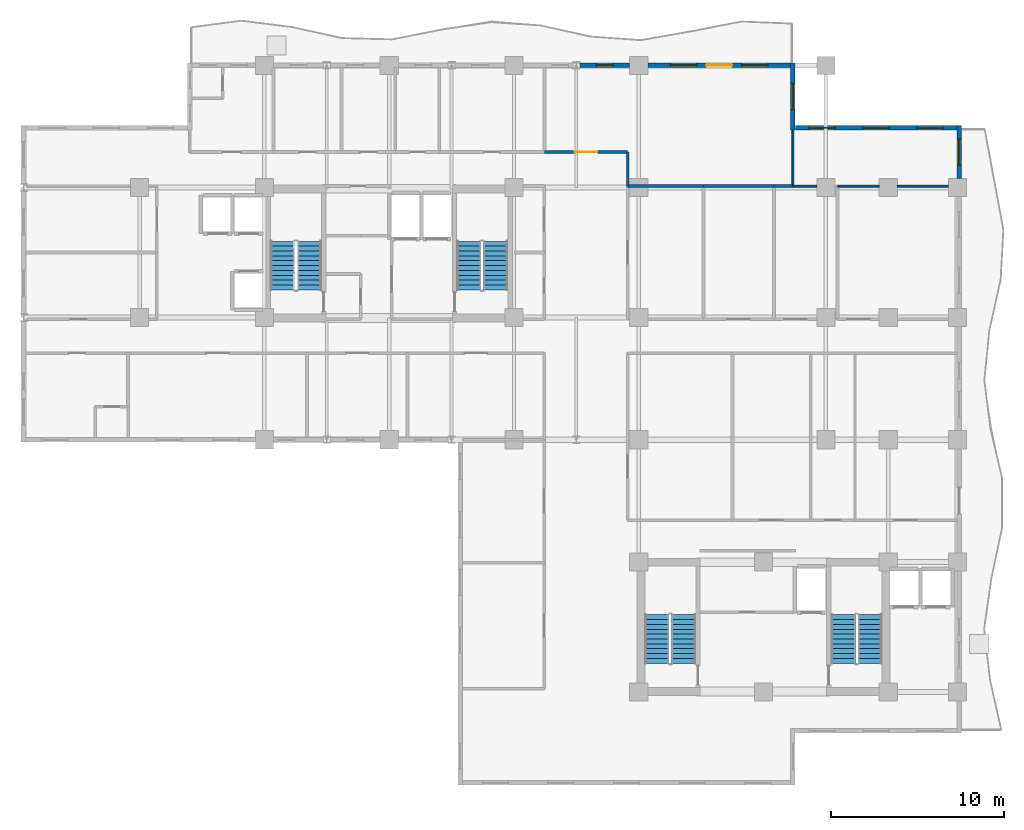
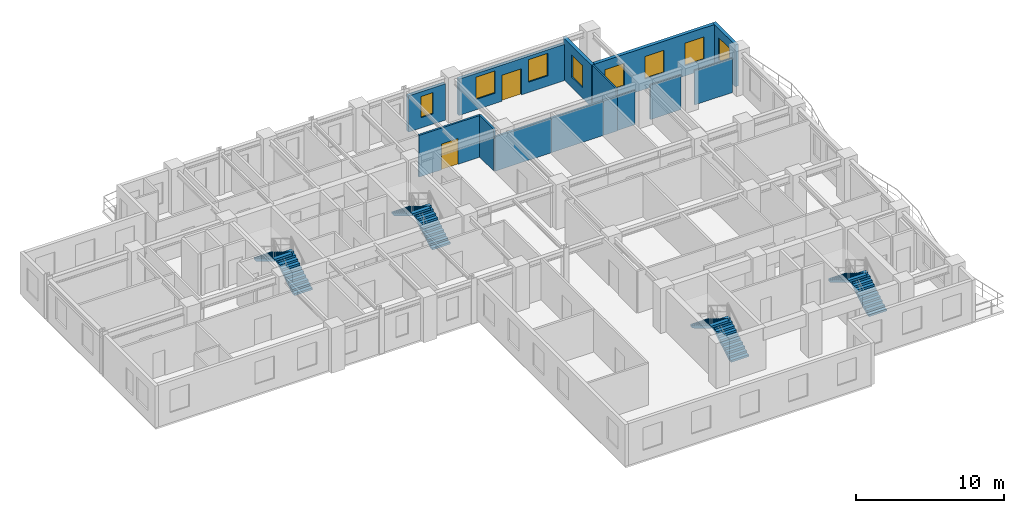
# One storey, part 9 of 13: 14 walls, 8 stair flights, 8 windows, 2 doors, 10 openings, 4 elements without a shape of their own.
"""IFC4 building model written with IfcOpenShell, lengths in metres."""

from ifc_helpers import new_model, si_unit, direction, frame, frame_2d, origin, place, context, subcontext, project, spatial, polyline, rectangle, outline, extrude, material, layer, layer_set, type_object, element, fill, aggregate, save


model = new_model("IFC4")

# Units and contexts
model_context = context("Model", 3, precision=1e-05, world=origin(), true_north=direction((0.0, 1.0)))
body_context = subcontext(model_context, "Body", "Model", "MODEL_VIEW")
ifc_project = project(units=[si_unit("LENGTHUNIT", "METRE"), si_unit("AREAUNIT", "SQUARE_METRE"), si_unit("VOLUMEUNIT", "CUBIC_METRE"), si_unit("PLANEANGLEUNIT", "RADIAN"), si_unit("MASSUNIT", "GRAM", prefix="KILO")], contexts=[model_context])

# Site, building, storey
site_placement = place(None, origin())
site = spatial("IfcSite", under=ifc_project, at=site_placement, CompositionType="ELEMENT")
building_placement = place(site_placement, origin())
building = spatial("IfcBuilding", under=site, at=building_placement, Name="Kaliganga Portal Commons", CompositionType="ELEMENT")
storey_placement = place(building_placement, frame((0.0, 0.0, 177.199951171875)))
storey = spatial("IfcBuildingStorey", under=building, at=storey_placement, Name="L45", CompositionType="ELEMENT", Elevation=177.199951171875)

# Wall, opening, window
ifc_material_1 = material(Name="Insulated Aluminium-Clad Spandrel Assembly", Category="aluminium")
ifc_layer_1 = layer(ifc_material_1, 0.260009765625)
ifc_layer_set_1 = layer_set([ifc_layer_1], Name="Insulated Aluminium-Clad Spandrel Assembly")
wall_type_1 = type_object("IfcWallType", Name="WL-EXT-SPAND-260", PredefinedType="STANDARD", material=ifc_layer_set_1)
wall_1_placement = place(storey_placement, frame((54.5, 39.72998046875, 0.0), z_axis=(0.0, 0.0, 1.0), x_axis=(0.0, -1.0, 0.0)))
wall_1 = element("IfcWall", 1, at=wall_1_placement, inside=storey, type_object=wall_type_1, Name="Exterior Envelope Wall L45 P1-E03-S6", PredefinedType="STANDARD", context=body_context, shape_type="SweptSolid", body=[
    extrude(rectangle(XDim=3.053955078125, YDim=0.260009765625, at=frame_2d((1.52685546875, 0.0))), origin(), (0.0, 0.0, 1.0), 3.43994140625),
])
opening_1_placement = place(wall_1_placement, frame((0.777099609375, 0.0, 0.85009765625)))
opening_1 = element("IfcOpeningElement", 2, at=opening_1_placement, cuts=wall_1, Name="Opening W-02", PredefinedType="OPENING", context=body_context, shape_type="SweptSolid", body=[
    extrude(rectangle(XDim=1.5, YDim=1.85009765625, at=frame_2d((0.75, 0.925048828125))), frame((0.0, 0.14013671875, 0.0), z_axis=(0.0, -1.0, 0.0), x_axis=(1.0, 0.0, 0.0)), (0.0, 0.0, 1.0), 0.280029296875),
])
ifc_material_2 = material(Name="Thermally Broken Aluminium and Low-E Double Glazing", Category="aluminium")
window_type_1 = type_object("IfcWindowType", Name="WIN-STD-1500", PartitioningType="DOUBLE_PANEL_VERTICAL", PredefinedType="WINDOW", material=ifc_material_2)
window_1_placement = place(opening_1_placement, origin())
window_1 = element("IfcWindow", 3, at=window_1_placement, inside=storey, type_object=window_type_1, Name="Facade Window L45-P1E03S6-00", OverallHeight=1.85009765625, OverallWidth=1.5, PartitioningType="SINGLE_PANEL", PredefinedType="WINDOW", context=body_context, shape_type="SweptSolid", body=[
    extrude(rectangle(XDim=1.5, YDim=1.85009765625, at=frame_2d((0.75, 0.925048828125))), frame((0.0, 0.030029296875, 0.0), z_axis=(0.0, -1.0, 0.0), x_axis=(1.0, 0.0, 0.0)), (0.0, 0.0, 1.0), 0.06005859375),
])
fill(opening_1, window_1)

# Wall, openings, windows
wall_2_placement = place(storey_placement, frame((45.034912109375, 39.60009765625, 0.0), z_axis=(0.0, 0.0, 1.0), x_axis=(1.0, 0.0, 0.0)))
wall_2 = element("IfcWall", 4, at=wall_2_placement, inside=storey, type_object=wall_type_1, Name="Exterior Envelope Wall L45 P1-E04-S1", PredefinedType="STANDARD", context=body_context, shape_type="SweptSolid", body=[
    extrude(rectangle(XDim=9.330078125, YDim=0.260009765625, at=frame_2d((4.6650390625, 0.0))), origin(), (0.0, 0.0, 1.0), 3.43994140625),
])
opening_2_placement = place(wall_2_placement, frame((0.804931640625, 0.0, 0.85009765625)))
opening_2 = element("IfcOpeningElement", 5, at=opening_2_placement, cuts=wall_2, Name="Opening W-02", PredefinedType="OPENING", context=body_context, shape_type="SweptSolid", body=[
    extrude(rectangle(XDim=1.5, YDim=1.85009765625, at=frame_2d((0.75, 0.925048828125))), frame((0.0, 0.14013671875, 0.0), z_axis=(0.0, -1.0, 0.0), x_axis=(1.0, 0.0, 0.0)), (0.0, 0.0, 1.0), 0.280029296875),
])
opening_3_placement = place(wall_2_placement, frame((3.9150390625, 0.0, 0.85009765625)))
opening_3 = element("IfcOpeningElement", 6, at=opening_3_placement, cuts=wall_2, Name="Opening W-02", PredefinedType="OPENING", context=body_context, shape_type="SweptSolid", body=[
    extrude(rectangle(XDim=1.5, YDim=1.85009765625, at=frame_2d((0.75, 0.925048828125))), frame((0.0, 0.14013671875, 0.0), z_axis=(0.0, -1.0, 0.0), x_axis=(1.0, 0.0, 0.0)), (0.0, 0.0, 1.0), 0.280029296875),
])
opening_4_placement = place(wall_2_placement, frame((7.02490234375, 0.0, 0.85009765625)))
opening_4 = element("IfcOpeningElement", 7, at=opening_4_placement, cuts=wall_2, Name="Opening W-02", PredefinedType="OPENING", context=body_context, shape_type="SweptSolid", body=[
    extrude(rectangle(XDim=1.5, YDim=1.85009765625, at=frame_2d((0.75, 0.925048828125))), frame((0.0, 0.14013671875, 0.0), z_axis=(0.0, -1.0, 0.0), x_axis=(1.0, 0.0, 0.0)), (0.0, 0.0, 1.0), 0.280029296875),
])
window_2_placement = place(opening_2_placement, origin())
window_2 = element("IfcWindow", 8, at=window_2_placement, inside=storey, type_object=window_type_1, Name="Facade Window L45-P1E04S1-00", OverallHeight=1.85009765625, OverallWidth=1.5, PartitioningType="SINGLE_PANEL", PredefinedType="WINDOW", context=body_context, shape_type="SweptSolid", body=[
    extrude(rectangle(XDim=1.5, YDim=1.85009765625, at=frame_2d((0.75, 0.925048828125))), frame((0.0, 0.030029296875, 0.0), z_axis=(0.0, -1.0, 0.0), x_axis=(1.0, 0.0, 0.0)), (0.0, 0.0, 1.0), 0.06005859375),
])
fill(opening_2, window_2)
window_3_placement = place(opening_3_placement, origin())
window_3 = element("IfcWindow", 9, at=window_3_placement, inside=storey, type_object=window_type_1, Name="Facade Window L45-P1E04S1-01", OverallHeight=1.85009765625, OverallWidth=1.5, PartitioningType="SINGLE_PANEL", PredefinedType="WINDOW", context=body_context, shape_type="SweptSolid", body=[
    extrude(rectangle(XDim=1.5, YDim=1.85009765625, at=frame_2d((0.75, 0.925048828125))), frame((0.0, 0.030029296875, 0.0), z_axis=(0.0, -1.0, 0.0), x_axis=(1.0, 0.0, 0.0)), (0.0, 0.0, 1.0), 0.06005859375),
])
fill(opening_3, window_3)
window_4_placement = place(opening_4_placement, origin())
window_4 = element("IfcWindow", 10, at=window_4_placement, inside=storey, type_object=window_type_1, Name="Facade Window L45-P1E04S1-02", OverallHeight=1.85009765625, OverallWidth=1.5, PartitioningType="SINGLE_PANEL", PredefinedType="WINDOW", context=body_context, shape_type="SweptSolid", body=[
    extrude(rectangle(XDim=1.5, YDim=1.85009765625, at=frame_2d((0.75, 0.925048828125))), frame((0.0, 0.030029296875, 0.0), z_axis=(0.0, -1.0, 0.0), x_axis=(1.0, 0.0, 0.0)), (0.0, 0.0, 1.0), 0.06005859375),
])
fill(opening_4, window_4)

# Wall, opening, window
wall_3_placement = place(storey_placement, frame((44.89990234375, 43.330078125, 0.0), z_axis=(0.0, 0.0, 1.0), x_axis=(0.0, -1.0, 0.0)))
wall_3 = element("IfcWall", 11, at=wall_3_placement, inside=storey, type_object=wall_type_1, Name="Exterior Envelope Wall L45 P1-E05-S1", PredefinedType="STANDARD", context=body_context, shape_type="SweptSolid", body=[
    extrude(rectangle(XDim=3.860107421875, YDim=0.260009765625, at=frame_2d((1.93017578125, 0.0))), origin(), (0.0, 0.0, 1.0), 3.43994140625),
])
opening_5_placement = place(wall_3_placement, frame((1.179931640625, 0.0, 0.85009765625)))
opening_5 = element("IfcOpeningElement", 12, at=opening_5_placement, cuts=wall_3, Name="Opening W-02", PredefinedType="OPENING", context=body_context, shape_type="SweptSolid", body=[
    extrude(rectangle(XDim=1.5, YDim=1.85009765625, at=frame_2d((0.75, 0.925048828125))), frame((0.0, 0.14013671875, 0.0), z_axis=(0.0, -1.0, 0.0), x_axis=(1.0, 0.0, 0.0)), (0.0, 0.0, 1.0), 0.280029296875),
])
window_5_placement = place(opening_5_placement, origin())
window_5 = element("IfcWindow", 13, at=window_5_placement, inside=storey, type_object=window_type_1, Name="Facade Window L45-P1E05S1-00", OverallHeight=1.85009765625, OverallWidth=1.5, PartitioningType="SINGLE_PANEL", PredefinedType="WINDOW", context=body_context, shape_type="SweptSolid", body=[
    extrude(rectangle(XDim=1.5, YDim=1.85009765625, at=frame_2d((0.75, 0.925048828125))), frame((0.0, 0.030029296875, 0.0), z_axis=(0.0, -1.0, 0.0), x_axis=(1.0, 0.0, 0.0)), (0.0, 0.0, 1.0), 0.06005859375),
])
fill(opening_5, window_5)

# Wall, openings, door, windows
wall_4_placement = place(storey_placement, frame((36.52587890625, 43.199951171875, 0.0), z_axis=(0.0, 0.0, 1.0), x_axis=(1.0, 0.0, 0.0)))
wall_4 = element("IfcWall", 14, at=wall_4_placement, inside=storey, type_object=wall_type_1, Name="Exterior Envelope Wall L45 P1-E06-S1", PredefinedType="STANDARD", context=body_context, shape_type="SweptSolid", body=[
    extrude(rectangle(XDim=8.239013671875, YDim=0.260009765625, at=frame_2d((4.11962890625, 0.0))), origin(), (0.0, 0.0, 1.0), 2.989990234375),
])
opening_6_placement = place(wall_4_placement, frame((3.368896484375, 0.0, 0.0)))
opening_6 = element("IfcOpeningElement", 15, at=opening_6_placement, cuts=wall_4, Name="Opening BD-01", PredefinedType="OPENING", context=body_context, shape_type="SweptSolid", body=[
    extrude(rectangle(XDim=1.5, YDim=2.14990234375, at=frame_2d((0.75, 1.074951171875))), frame((0.0, 0.14013671875, 0.0), z_axis=(0.0, -1.0, 0.0), x_axis=(1.0, 0.0, 0.0)), (0.0, 0.0, 1.0), 0.280029296875),
])
opening_7_placement = place(wall_4_placement, frame((1.309814453125, 0.0, 0.85009765625)))
opening_7 = element("IfcOpeningElement", 16, at=opening_7_placement, cuts=wall_4, Name="Opening W-02", PredefinedType="OPENING", context=body_context, shape_type="SweptSolid", body=[
    extrude(rectangle(XDim=1.5, YDim=1.85009765625, at=frame_2d((0.75, 0.925048828125))), frame((0.0, 0.14013671875, 0.0), z_axis=(0.0, -1.0, 0.0), x_axis=(1.0, 0.0, 0.0)), (0.0, 0.0, 1.0), 0.280029296875),
])
opening_8_placement = place(wall_4_placement, frame((5.42919921875, 0.0, 0.85009765625)))
opening_8 = element("IfcOpeningElement", 17, at=opening_8_placement, cuts=wall_4, Name="Opening W-02", PredefinedType="OPENING", context=body_context, shape_type="SweptSolid", body=[
    extrude(rectangle(XDim=1.5, YDim=1.85009765625, at=frame_2d((0.75, 0.925048828125))), frame((0.0, 0.14013671875, 0.0), z_axis=(0.0, -1.0, 0.0), x_axis=(1.0, 0.0, 0.0)), (0.0, 0.0, 1.0), 0.280029296875),
])
ifc_material_3 = material(Name="Anodized Aluminium and Laminated Safety Glass", Category="aluminium")
door_type_1 = type_object("IfcDoorType", Name="DR-BALC-1500", OperationType="SLIDING_TO_LEFT", PredefinedType="DOOR", material=ifc_material_3)
door_1_placement = place(opening_6_placement, origin())
door_1 = element("IfcDoor", 18, at=door_1_placement, inside=storey, type_object=door_type_1, Name="Balcony Sliding Door L45 balc_north", OperationType="SLIDING_TO_LEFT", OverallHeight=2.14990234375, OverallWidth=1.5, PredefinedType="DOOR", context=body_context, shape_type="SweptSolid", body=[
    extrude(rectangle(XDim=1.5, YDim=2.14990234375, at=frame_2d((0.75, 1.074951171875))), frame((0.0, 0.02490234375, 0.0), z_axis=(0.0, -1.0, 0.0), x_axis=(1.0, 0.0, 0.0)), (0.0, 0.0, 1.0), 0.050048828125),
])
fill(opening_6, door_1)
window_6_placement = place(opening_7_placement, origin())
window_6 = element("IfcWindow", 19, at=window_6_placement, inside=storey, type_object=window_type_1, Name="Facade Window L45-P1E06S1-00", OverallHeight=1.85009765625, OverallWidth=1.5, PartitioningType="SINGLE_PANEL", PredefinedType="WINDOW", context=body_context, shape_type="SweptSolid", body=[
    extrude(rectangle(XDim=1.5, YDim=1.85009765625, at=frame_2d((0.75, 0.925048828125))), frame((0.0, 0.030029296875, 0.0), z_axis=(0.0, -1.0, 0.0), x_axis=(1.0, 0.0, 0.0)), (0.0, 0.0, 1.0), 0.06005859375),
])
fill(opening_7, window_6)
window_7_placement = place(opening_8_placement, origin())
window_7 = element("IfcWindow", 20, at=window_7_placement, inside=storey, type_object=window_type_1, Name="Facade Window L45-P1E06S1-01", OverallHeight=1.85009765625, OverallWidth=1.5, PartitioningType="SINGLE_PANEL", PredefinedType="WINDOW", context=body_context, shape_type="SweptSolid", body=[
    extrude(rectangle(XDim=1.5, YDim=1.85009765625, at=frame_2d((0.75, 0.925048828125))), frame((0.0, 0.030029296875, 0.0), z_axis=(0.0, -1.0, 0.0), x_axis=(1.0, 0.0, 0.0)), (0.0, 0.0, 1.0), 0.06005859375),
])
fill(opening_8, window_7)

# Wall, opening, window
wall_5_placement = place(storey_placement, frame((32.60302734375, 43.199951171875, 0.0), z_axis=(0.0, 0.0, 1.0), x_axis=(1.0, 0.0, 0.0)))
wall_5 = element("IfcWall", 21, at=wall_5_placement, inside=storey, type_object=wall_type_1, Name="Exterior Envelope Wall L45 P1-E06-S2", PredefinedType="STANDARD", context=body_context, shape_type="SweptSolid", body=[
    extrude(rectangle(XDim=2.87109375, YDim=0.260009765625, at=frame_2d((1.435546875, 0.0))), origin(), (0.0, 0.0, 1.0), 2.989990234375),
])
opening_9_placement = place(wall_5_placement, frame((0.96044921875, 0.0, 0.85009765625)))
opening_9 = element("IfcOpeningElement", 22, at=opening_9_placement, cuts=wall_5, Name="Opening W-04", PredefinedType="OPENING", context=body_context, shape_type="SweptSolid", body=[
    extrude(rectangle(XDim=0.949951171875, YDim=1.75, at=frame_2d((0.47509765625, 0.875))), frame((0.0, 0.14013671875, 0.0), z_axis=(0.0, -1.0, 0.0), x_axis=(1.0, 0.0, 0.0)), (0.0, 0.0, 1.0), 0.280029296875),
])
window_type_2 = type_object("IfcWindowType", Name="WIN-NARROW-950", PartitioningType="SINGLE_PANEL", PredefinedType="WINDOW", material=ifc_material_2)
window_8_placement = place(opening_9_placement, origin())
window_8 = element("IfcWindow", 23, at=window_8_placement, inside=storey, type_object=window_type_2, Name="Facade Window L45-P1E06S2-00", OverallHeight=1.75, OverallWidth=0.949951171875, PartitioningType="SINGLE_PANEL", PredefinedType="WINDOW", context=body_context, shape_type="SweptSolid", body=[
    extrude(rectangle(XDim=0.949951171875, YDim=1.75, at=frame_2d((0.47509765625, 0.875))), frame((0.0, 0.030029296875, 0.0), z_axis=(0.0, -1.0, 0.0), x_axis=(1.0, 0.0, 0.0)), (0.0, 0.0, 1.0), 0.06005859375),
])
fill(opening_9, window_8)

# Wall, opening, door
ifc_material_4 = material(Name="Fire-Rated Gypsum Board on Steel Stud", Category="steel")
ifc_layer_2 = layer(ifc_material_4, 0.14990234375)
ifc_layer_set_2 = layer_set([ifc_layer_2], Name="Fire-Rated Gypsum Board on Steel Stud")
wall_type_2 = type_object("IfcWallType", Name="WL-PART-CORR-150", PredefinedType="PARTITIONING", material=ifc_layer_set_2)
wall_6_placement = place(storey_placement, frame((30.56005859375, 38.199951171875, 0.0), z_axis=(0.0, 0.0, 1.0), x_axis=(1.0, 0.0, 0.0)))
wall_6 = element("IfcWall", 24, at=wall_6_placement, inside=storey, type_object=wall_type_2, Name="Interior Partition L45-028", PredefinedType="PARTITIONING", context=body_context, shape_type="SweptSolid", body=[
    extrude(rectangle(XDim=4.800048828125, YDim=0.14990234375, at=frame_2d((2.39990234375, 0.0))), origin(), (0.0, 0.0, 1.0), 3.43994140625),
])
opening_10_placement = place(wall_6_placement, frame((1.75, 0.0, 0.0)))
opening_10 = element("IfcOpeningElement", 25, at=opening_10_placement, cuts=wall_6, Name="Opening RD-03", PredefinedType="OPENING", context=body_context, shape_type="SweptSolid", body=[
    extrude(rectangle(XDim=1.300048828125, YDim=2.1201171875, at=frame_2d((0.64990234375, 1.06005859375))), frame((0.0, 0.0849609375, 0.0), z_axis=(0.0, -1.0, 0.0), x_axis=(1.0, 0.0, 0.0)), (0.0, 0.0, 1.0), 0.169921875),
])
ifc_material_5 = material(Name="Glazed Timber Seminar Vision Door", Category="wood")
door_type_2 = type_object("IfcDoorType", Name="DR-STUDY-1300", OperationType="DOUBLE_DOOR_SINGLE_SWING", PredefinedType="DOOR", material=ifc_material_5)
door_2_placement = place(opening_10_placement, origin())
door_2 = element("IfcDoor", 26, at=door_2_placement, inside=storey, type_object=door_type_2, Name="Interior Door L45-ANE01", OperationType="DOUBLE_DOOR_SINGLE_SWING", OverallHeight=2.1201171875, OverallWidth=1.300048828125, PredefinedType="DOOR", context=body_context, shape_type="SweptSolid", body=[
    extrude(rectangle(XDim=1.300048828125, YDim=2.1201171875, at=frame_2d((0.64990234375, 1.06005859375))), frame((0.0, 0.02490234375, 0.0), z_axis=(0.0, -1.0, 0.0), x_axis=(1.0, 0.0, 0.0)), (0.0, 0.0, 1.0), 0.050048828125),
])
fill(opening_10, door_2)

# Walls
wall_7_placement = place(storey_placement, frame((35.360107421875, 36.239990234375, 0.0), z_axis=(0.0, 0.0, 1.0), x_axis=(0.0, 1.0, 0.0)))
element("IfcWall", 27, at=wall_7_placement, inside=storey, type_object=wall_type_2, Name="Interior Partition L45-048", PredefinedType="PARTITIONING", context=body_context, shape_type="SweptSolid", body=[
    extrude(rectangle(XDim=1.9599609375, YDim=0.14990234375, at=frame_2d((0.97998046875, 0.0))), origin(), (0.0, 0.0, 1.0), 3.43994140625),
])
ifc_material_6 = material(Name="Moisture-Resistant Gypsum Partition", Category="gypsum")
ifc_layer_3 = layer(ifc_material_6, 0.114990234375)
ifc_layer_set_3 = layer_set([ifc_layer_3], Name="Moisture-Resistant Gypsum Partition")
wall_type_3 = type_object("IfcWallType", Name="WL-PART-ROOM-115", PredefinedType="PARTITIONING", material=ifc_layer_set_3)
wall_8_placement = place(storey_placement, frame((47.47998046875, 36.239990234375, 0.0), z_axis=(0.0, 0.0, 1.0), x_axis=(1.0, 0.0, 0.0)))
element("IfcWall", 28, at=wall_8_placement, inside=storey, type_object=wall_type_3, Name="Interior Partition L45-061", PredefinedType="PARTITIONING", context=body_context, shape_type="SweptSolid", body=[
    extrude(rectangle(XDim=2.39501953125, YDim=0.114990234375, at=frame_2d((1.197509765625, 0.0))), origin(), (0.0, 0.0, 1.0), 2.840087890625),
])
wall_9_placement = place(storey_placement, frame((50.925048828125, 36.239990234375, 0.0), z_axis=(0.0, 0.0, 1.0), x_axis=(1.0, 0.0, 0.0)))
element("IfcWall", 29, at=wall_9_placement, inside=storey, type_object=wall_type_3, Name="Interior Partition L45-062", PredefinedType="PARTITIONING", context=body_context, shape_type="SweptSolid", body=[
    extrude(rectangle(XDim=2.949951171875, YDim=0.114990234375, at=frame_2d((1.47509765625, 0.0))), origin(), (0.0, 0.0, 1.0), 2.840087890625),
])
wall_10_placement = place(storey_placement, frame((44.89990234375, 36.239990234375, 0.0), z_axis=(0.0, 0.0, 1.0), x_axis=(0.0, 1.0, 0.0)))
element("IfcWall", 30, at=wall_10_placement, inside=storey, type_object=wall_type_3, Name="Interior Partition L45-063", PredefinedType="PARTITIONING", context=body_context, shape_type="SweptSolid", body=[
    extrude(rectangle(XDim=3.22802734375, YDim=0.114990234375, at=frame_2d((1.614013671875, 0.0))), origin(), (0.0, 0.0, 1.0), 3.43994140625),
])
wall_11_placement = place(storey_placement, frame((44.89990234375, 36.239990234375, 0.0), z_axis=(0.0, 0.0, 1.0), x_axis=(1.0, 0.0, 0.0)))
element("IfcWall", 31, at=wall_11_placement, inside=storey, type_object=wall_type_3, Name="Interior Partition L45-079", PredefinedType="PARTITIONING", context=body_context, shape_type="SweptSolid", body=[
    extrude(rectangle(XDim=1.375, YDim=0.114990234375, at=frame_2d((0.6875, 0.0))), origin(), (0.0, 0.0, 1.0), 2.840087890625),
])
ifc_material_7 = material(Name="Twin-Stud Acoustic Gypsum Partition", Category="gypsum")
ifc_layer_4 = layer(ifc_material_7, 0.1650390625)
ifc_layer_set_4 = layer_set([ifc_layer_4], Name="Twin-Stud Acoustic Gypsum Partition")
wall_type_4 = type_object("IfcWallType", Name="WL-PART-UNIT-165", PredefinedType="PARTITIONING", material=ifc_layer_set_4)
wall_12_placement = place(storey_placement, frame((35.360107421875, 36.239990234375, 0.0), z_axis=(0.0, 0.0, 1.0), x_axis=(1.0, 0.0, 0.0)))
element("IfcWall", 32, at=wall_12_placement, inside=storey, type_object=wall_type_4, Name="Interior Partition L45-074", PredefinedType="PARTITIONING", context=body_context, shape_type="SweptSolid", body=[
    extrude(rectangle(XDim=4.3798828125, YDim=0.1650390625, at=frame_2d((2.18994140625, 0.0))), origin(), (0.0, 0.0, 1.0), 2.840087890625),
])
wall_13_placement = place(storey_placement, frame((39.739990234375, 36.239990234375, 0.0), z_axis=(0.0, 0.0, 1.0), x_axis=(1.0, 0.0, 0.0)))
element("IfcWall", 33, at=wall_13_placement, inside=storey, type_object=wall_type_4, Name="Interior Partition L45-075", PredefinedType="PARTITIONING", context=body_context, shape_type="SweptSolid", body=[
    extrude(rectangle(XDim=4.06005859375, YDim=0.1650390625, at=frame_2d((2.030029296875, 0.0))), origin(), (0.0, 0.0, 1.0), 2.840087890625),
])
wall_14_placement = place(storey_placement, frame((43.800048828125, 36.239990234375, 0.0), z_axis=(0.0, 0.0, 1.0), x_axis=(1.0, 0.0, 0.0)))
element("IfcWall", 34, at=wall_14_placement, inside=storey, type_object=wall_type_4, Name="Interior Partition L45-081", PredefinedType="PARTITIONING", context=body_context, shape_type="SweptSolid", body=[
    extrude(rectangle(XDim=1.099853515625, YDim=0.1650390625, at=frame_2d((0.5498046875, 0.0))), origin(), (0.0, 0.0, 1.0), 2.840087890625),
])

# Stair, stair flights
ifc_material_8 = material(Name="Concrete C40/50", Category="concrete")
stair_type = type_object("IfcStairType", Name="ST-CORE-DOGLEG", PredefinedType="HALF_TURN_STAIR", material=ifc_material_8)
stair_1_placement = place(storey_placement, origin())
stair_1 = element("IfcStair", 35, at=stair_1_placement, inside=storey, type_object=stair_type, Name="L45 Protected Exit Stair ST-A1", PredefinedType="HALF_TURN_STAIR")
stair_flight_type = type_object("IfcStairFlightType", Name="STF-RC-1400", PredefinedType="STRAIGHT", material=ifc_material_8)
stair_flight_1_placement = place(storey_placement, frame((17.0, 30.25, 0.0), z_axis=(0.0, 0.0, 1.0), x_axis=(0.0, 1.0, 0.0)))
stair_flight_1 = element("IfcStairFlight", 36, at=stair_flight_1_placement, type_object=stair_flight_type, Name="ST-A1 flight 1", NumberOfRisers=11, NumberOfTreads=10, PredefinedType="STRAIGHT", RiserHeight=0.168181818, TreadLength=0.28, context=body_context, shape_type="SweptSolid", body=[
    extrude(outline(polyline([(0.0, 0.0), (0.0, 0.168212890625), (0.280029296875, 0.168212890625), (0.280029296875, 0.33642578125), (0.56005859375, 0.33642578125), (0.56005859375, 0.504638671875), (0.840087890625, 0.504638671875), (0.840087890625, 0.672607421875), (1.1201171875, 0.672607421875), (1.1201171875, 0.8408203125), (1.39990234375, 0.8408203125), (1.39990234375, 1.009033203125), (1.679931640625, 1.009033203125), (1.679931640625, 1.17724609375), (1.9599609375, 1.17724609375), (1.9599609375, 1.345458984375), (2.239990234375, 1.345458984375), (2.239990234375, 1.513671875), (2.52001953125, 1.513671875), (2.52001953125, 1.681884765625), (2.800048828125, 1.681884765625), (2.800048828125, 1.85009765625), (2.800048828125, 1.5068359375), (0.291015625, 0.0), (0.0, 0.0)])), frame((0.0, 0.699951171875, 0.0), z_axis=(0.0, -1.0, 0.0), x_axis=(1.0, 0.0, 0.0)), (0.0, 0.0, 1.0), 1.39990234375),
])
stair_flight_2_placement = place(storey_placement, frame((15.449951171875, 33.050048828125, 1.85009765625), z_axis=(0.0, 0.0, 1.0), x_axis=(0.0, -1.0, 0.0)))
stair_flight_2 = element("IfcStairFlight", 37, at=stair_flight_2_placement, type_object=stair_flight_type, Name="ST-A1 flight 2", NumberOfRisers=11, NumberOfTreads=10, PredefinedType="STRAIGHT", RiserHeight=0.168181818, TreadLength=0.28, context=body_context, shape_type="SweptSolid", body=[
    extrude(outline(polyline([(0.0, 0.0), (0.0, 0.168212890625), (0.280029296875, 0.168212890625), (0.280029296875, 0.33642578125), (0.56005859375, 0.33642578125), (0.56005859375, 0.504638671875), (0.840087890625, 0.504638671875), (0.840087890625, 0.672607421875), (1.1201171875, 0.672607421875), (1.1201171875, 0.8408203125), (1.39990234375, 0.8408203125), (1.39990234375, 1.009033203125), (1.679931640625, 1.009033203125), (1.679931640625, 1.17724609375), (1.9599609375, 1.17724609375), (1.9599609375, 1.345458984375), (2.239990234375, 1.345458984375), (2.239990234375, 1.513671875), (2.52001953125, 1.513671875), (2.52001953125, 1.681884765625), (2.800048828125, 1.681884765625), (2.800048828125, 1.85009765625), (2.800048828125, 1.5068359375), (0.291015625, 0.0), (0.0, 0.0)])), frame((0.0, 0.699951171875, 0.0), z_axis=(0.0, -1.0, 0.0), x_axis=(1.0, 0.0, 0.0)), (0.0, 0.0, 1.0), 1.39990234375),
])
aggregate(stair_1, [stair_flight_1, stair_flight_2])

stair_2_placement = place(storey_placement, origin())
stair_2 = element("IfcStair", 38, at=stair_2_placement, inside=storey, type_object=stair_type, Name="L45 Protected Exit Stair ST-A2", PredefinedType="HALF_TURN_STAIR")
stair_flight_3_placement = place(storey_placement, frame((27.75, 30.25, 0.0), z_axis=(0.0, 0.0, 1.0), x_axis=(0.0, 1.0, 0.0)))
stair_flight_3 = element("IfcStairFlight", 39, at=stair_flight_3_placement, type_object=stair_flight_type, Name="ST-A2 flight 1", NumberOfRisers=11, NumberOfTreads=10, PredefinedType="STRAIGHT", RiserHeight=0.168181818, TreadLength=0.28, context=body_context, shape_type="SweptSolid", body=[
    extrude(outline(polyline([(0.0, 0.0), (0.0, 0.168212890625), (0.280029296875, 0.168212890625), (0.280029296875, 0.33642578125), (0.56005859375, 0.33642578125), (0.56005859375, 0.504638671875), (0.840087890625, 0.504638671875), (0.840087890625, 0.672607421875), (1.1201171875, 0.672607421875), (1.1201171875, 0.8408203125), (1.39990234375, 0.8408203125), (1.39990234375, 1.009033203125), (1.679931640625, 1.009033203125), (1.679931640625, 1.17724609375), (1.9599609375, 1.17724609375), (1.9599609375, 1.345458984375), (2.239990234375, 1.345458984375), (2.239990234375, 1.513671875), (2.52001953125, 1.513671875), (2.52001953125, 1.681884765625), (2.800048828125, 1.681884765625), (2.800048828125, 1.85009765625), (2.800048828125, 1.5068359375), (0.291015625, 0.0), (0.0, 0.0)])), frame((0.0, 0.699951171875, 0.0), z_axis=(0.0, -1.0, 0.0), x_axis=(1.0, 0.0, 0.0)), (0.0, 0.0, 1.0), 1.39990234375),
])
stair_flight_4_placement = place(storey_placement, frame((26.199951171875, 33.050048828125, 1.85009765625), z_axis=(0.0, 0.0, 1.0), x_axis=(0.0, -1.0, 0.0)))
stair_flight_4 = element("IfcStairFlight", 40, at=stair_flight_4_placement, type_object=stair_flight_type, Name="ST-A2 flight 2", NumberOfRisers=11, NumberOfTreads=10, PredefinedType="STRAIGHT", RiserHeight=0.168181818, TreadLength=0.28, context=body_context, shape_type="SweptSolid", body=[
    extrude(outline(polyline([(0.0, 0.0), (0.0, 0.168212890625), (0.280029296875, 0.168212890625), (0.280029296875, 0.33642578125), (0.56005859375, 0.33642578125), (0.56005859375, 0.504638671875), (0.840087890625, 0.504638671875), (0.840087890625, 0.672607421875), (1.1201171875, 0.672607421875), (1.1201171875, 0.8408203125), (1.39990234375, 0.8408203125), (1.39990234375, 1.009033203125), (1.679931640625, 1.009033203125), (1.679931640625, 1.17724609375), (1.9599609375, 1.17724609375), (1.9599609375, 1.345458984375), (2.239990234375, 1.345458984375), (2.239990234375, 1.513671875), (2.52001953125, 1.513671875), (2.52001953125, 1.681884765625), (2.800048828125, 1.681884765625), (2.800048828125, 1.85009765625), (2.800048828125, 1.5068359375), (0.291015625, 0.0), (0.0, 0.0)])), frame((0.0, 0.699951171875, 0.0), z_axis=(0.0, -1.0, 0.0), x_axis=(1.0, 0.0, 0.0)), (0.0, 0.0, 1.0), 1.39990234375),
])
aggregate(stair_2, [stair_flight_3, stair_flight_4])

stair_3_placement = place(storey_placement, origin())
stair_3 = element("IfcStair", 41, at=stair_3_placement, inside=storey, type_object=stair_type, Name="L45 Protected Exit Stair ST-B1", PredefinedType="HALF_TURN_STAIR")
stair_flight_5_placement = place(storey_placement, frame((38.60009765625, 8.699951171875, 0.0), z_axis=(0.0, 0.0, 1.0), x_axis=(0.0, 1.0, 0.0)))
stair_flight_5 = element("IfcStairFlight", 42, at=stair_flight_5_placement, type_object=stair_flight_type, Name="ST-B1 flight 1", NumberOfRisers=11, NumberOfTreads=10, PredefinedType="STRAIGHT", RiserHeight=0.168181818, TreadLength=0.28, context=body_context, shape_type="SweptSolid", body=[
    extrude(outline(polyline([(0.0, 0.0), (0.0, 0.168212890625), (0.280029296875, 0.168212890625), (0.280029296875, 0.33642578125), (0.56005859375, 0.33642578125), (0.56005859375, 0.504638671875), (0.840087890625, 0.504638671875), (0.840087890625, 0.672607421875), (1.1201171875, 0.672607421875), (1.1201171875, 0.8408203125), (1.39990234375, 0.8408203125), (1.39990234375, 1.009033203125), (1.679931640625, 1.009033203125), (1.679931640625, 1.17724609375), (1.9599609375, 1.17724609375), (1.9599609375, 1.345458984375), (2.239990234375, 1.345458984375), (2.239990234375, 1.513671875), (2.52001953125, 1.513671875), (2.52001953125, 1.681884765625), (2.800048828125, 1.681884765625), (2.800048828125, 1.85009765625), (2.800048828125, 1.5068359375), (0.291015625, 0.0), (0.0, 0.0)])), frame((0.0, 0.699951171875, 0.0), z_axis=(0.0, -1.0, 0.0), x_axis=(1.0, 0.0, 0.0)), (0.0, 0.0, 1.0), 1.39990234375),
])
stair_flight_6_placement = place(storey_placement, frame((37.050048828125, 11.5, 1.85009765625), z_axis=(0.0, 0.0, 1.0), x_axis=(0.0, -1.0, 0.0)))
stair_flight_6 = element("IfcStairFlight", 43, at=stair_flight_6_placement, type_object=stair_flight_type, Name="ST-B1 flight 2", NumberOfRisers=11, NumberOfTreads=10, PredefinedType="STRAIGHT", RiserHeight=0.168181818, TreadLength=0.28, context=body_context, shape_type="SweptSolid", body=[
    extrude(outline(polyline([(0.0, 0.0), (0.0, 0.168212890625), (0.280029296875, 0.168212890625), (0.280029296875, 0.33642578125), (0.56005859375, 0.33642578125), (0.56005859375, 0.504638671875), (0.840087890625, 0.504638671875), (0.840087890625, 0.672607421875), (1.1201171875, 0.672607421875), (1.1201171875, 0.8408203125), (1.39990234375, 0.8408203125), (1.39990234375, 1.009033203125), (1.679931640625, 1.009033203125), (1.679931640625, 1.17724609375), (1.9599609375, 1.17724609375), (1.9599609375, 1.345458984375), (2.239990234375, 1.345458984375), (2.239990234375, 1.513671875), (2.52001953125, 1.513671875), (2.52001953125, 1.681884765625), (2.800048828125, 1.681884765625), (2.800048828125, 1.85009765625), (2.800048828125, 1.5068359375), (0.291015625, 0.0), (0.0, 0.0)])), frame((0.0, 0.699951171875, 0.0), z_axis=(0.0, -1.0, 0.0), x_axis=(1.0, 0.0, 0.0)), (0.0, 0.0, 1.0), 1.39990234375),
])
aggregate(stair_3, [stair_flight_5, stair_flight_6])

stair_4_placement = place(storey_placement, origin())
stair_4 = element("IfcStair", 44, at=stair_4_placement, inside=storey, type_object=stair_type, Name="L45 Protected Exit Stair ST-B2", PredefinedType="HALF_TURN_STAIR")
stair_flight_7_placement = place(storey_placement, frame((49.35009765625, 8.699951171875, 0.0), z_axis=(0.0, 0.0, 1.0), x_axis=(0.0, 1.0, 0.0)))
stair_flight_7 = element("IfcStairFlight", 45, at=stair_flight_7_placement, type_object=stair_flight_type, Name="ST-B2 flight 1", NumberOfRisers=11, NumberOfTreads=10, PredefinedType="STRAIGHT", RiserHeight=0.168181818, TreadLength=0.28, context=body_context, shape_type="SweptSolid", body=[
    extrude(outline(polyline([(0.0, 0.0), (0.0, 0.168212890625), (0.280029296875, 0.168212890625), (0.280029296875, 0.33642578125), (0.56005859375, 0.33642578125), (0.56005859375, 0.504638671875), (0.840087890625, 0.504638671875), (0.840087890625, 0.672607421875), (1.1201171875, 0.672607421875), (1.1201171875, 0.8408203125), (1.39990234375, 0.8408203125), (1.39990234375, 1.009033203125), (1.679931640625, 1.009033203125), (1.679931640625, 1.17724609375), (1.9599609375, 1.17724609375), (1.9599609375, 1.345458984375), (2.239990234375, 1.345458984375), (2.239990234375, 1.513671875), (2.52001953125, 1.513671875), (2.52001953125, 1.681884765625), (2.800048828125, 1.681884765625), (2.800048828125, 1.85009765625), (2.800048828125, 1.5068359375), (0.291015625, 0.0), (0.0, 0.0)])), frame((0.0, 0.699951171875, 0.0), z_axis=(0.0, -1.0, 0.0), x_axis=(1.0, 0.0, 0.0)), (0.0, 0.0, 1.0), 1.39990234375),
])
stair_flight_8_placement = place(storey_placement, frame((47.800048828125, 11.5, 1.85009765625), z_axis=(0.0, 0.0, 1.0), x_axis=(0.0, -1.0, 0.0)))
stair_flight_8 = element("IfcStairFlight", 46, at=stair_flight_8_placement, type_object=stair_flight_type, Name="ST-B2 flight 2", NumberOfRisers=11, NumberOfTreads=10, PredefinedType="STRAIGHT", RiserHeight=0.168181818, TreadLength=0.28, context=body_context, shape_type="SweptSolid", body=[
    extrude(outline(polyline([(0.0, 0.0), (0.0, 0.168212890625), (0.280029296875, 0.168212890625), (0.280029296875, 0.33642578125), (0.56005859375, 0.33642578125), (0.56005859375, 0.504638671875), (0.840087890625, 0.504638671875), (0.840087890625, 0.672607421875), (1.1201171875, 0.672607421875), (1.1201171875, 0.8408203125), (1.39990234375, 0.8408203125), (1.39990234375, 1.009033203125), (1.679931640625, 1.009033203125), (1.679931640625, 1.17724609375), (1.9599609375, 1.17724609375), (1.9599609375, 1.345458984375), (2.239990234375, 1.345458984375), (2.239990234375, 1.513671875), (2.52001953125, 1.513671875), (2.52001953125, 1.681884765625), (2.800048828125, 1.681884765625), (2.800048828125, 1.85009765625), (2.800048828125, 1.5068359375), (0.291015625, 0.0), (0.0, 0.0)])), frame((0.0, 0.699951171875, 0.0), z_axis=(0.0, -1.0, 0.0), x_axis=(1.0, 0.0, 0.0)), (0.0, 0.0, 1.0), 1.39990234375),
])
aggregate(stair_4, [stair_flight_7, stair_flight_8])

save(model, "model.ifc")
